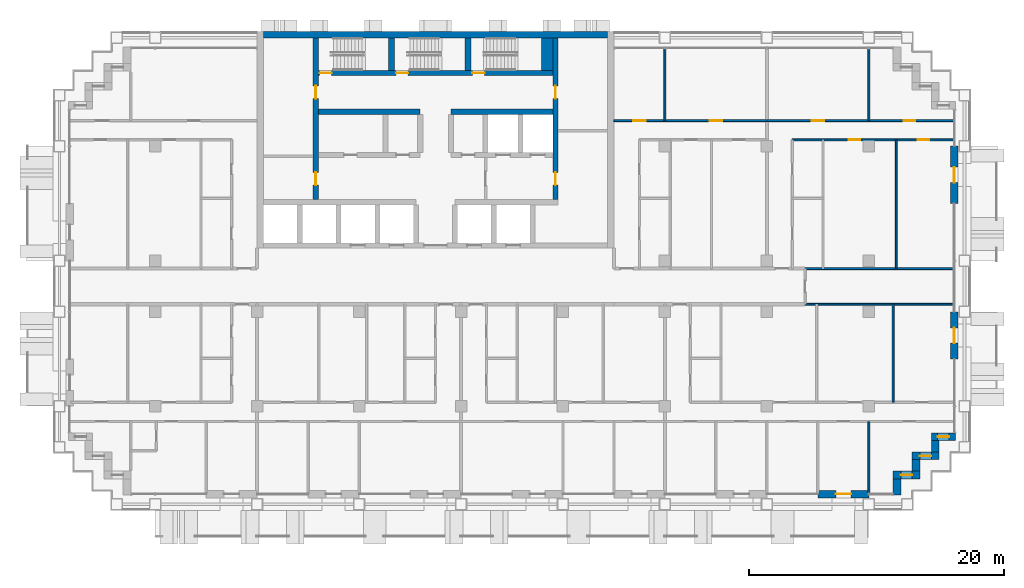
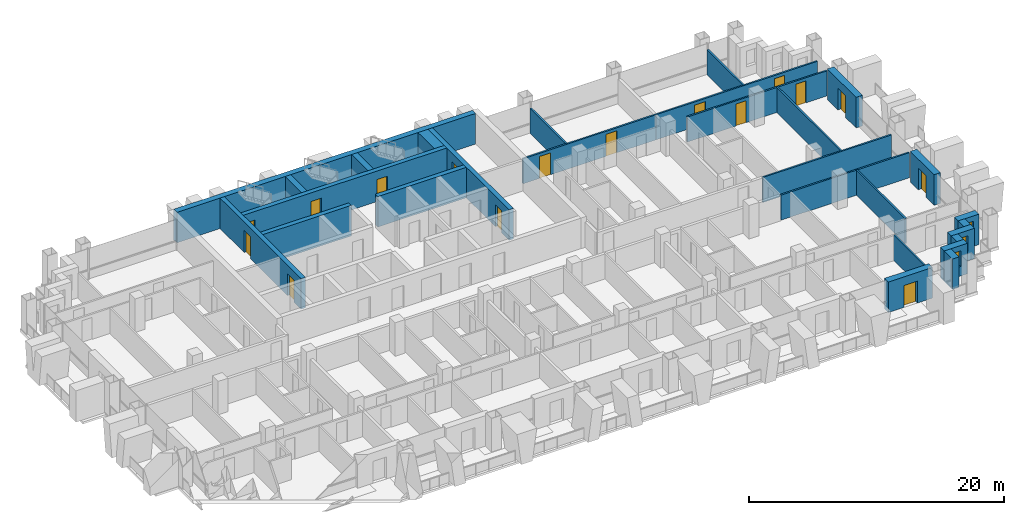
# One storey, part 13 of 18: 28 walls, 16 doors, 3 windows, 19 openings.
"""IFC4 building model written with IfcOpenShell, lengths in metres."""

from ifc_helpers import new_model, si_unit, direction, frame, frame_2d, origin, place, context, subcontext, project, spatial, rectangle, extrude, material, layer, layer_set, type_object, element, fill, save


model = new_model("IFC4")

# Units and contexts
model_context = context("Model", 3, precision=1e-05, world=origin(), true_north=direction((0.0, 1.0)))
body_context = subcontext(model_context, "Body", "Model", "MODEL_VIEW")
ifc_project = project(units=[si_unit("LENGTHUNIT", "METRE"), si_unit("AREAUNIT", "SQUARE_METRE"), si_unit("VOLUMEUNIT", "CUBIC_METRE"), si_unit("PLANEANGLEUNIT", "RADIAN"), si_unit("MASSUNIT", "GRAM", prefix="KILO")], contexts=[model_context])

# Site, building, storey
site_placement = place(None, origin())
site = spatial("IfcSite", under=ifc_project, at=site_placement, CompositionType="ELEMENT")
building_placement = place(site_placement, origin())
building = spatial("IfcBuilding", under=site, at=building_placement, Name="Vidyagriha Tower", CompositionType="ELEMENT")
storey_placement = place(building_placement, frame((0.0, 0.0, 93.5)))
storey = spatial("IfcBuildingStorey", under=building, at=storey_placement, Name="L24", CompositionType="ELEMENT", Elevation=93.5)

# Wall, opening, door
ifc_material_1 = material(Name="Precast concrete C40/50 with brick facing", Category="concrete")
ifc_layer_1 = layer(ifc_material_1, 0.60009765625)
ifc_layer_set_1 = layer_set([ifc_layer_1], Name="Precast concrete C40/50 with brick facing")
wall_type_1 = type_object("IfcWallType", Name="Brick-faced precast wall 600", PredefinedType="STANDARD", material=ifc_layer_set_1)
wall_1_placement = place(storey_placement, frame((30.0, -16.300048828125, 0.0)))
wall_1 = element("IfcWall", 1, at=wall_1_placement, inside=storey, type_object=wall_type_1, Name="Brick door bay wall L24 R23.15", PredefinedType="STANDARD", context=body_context, shape_type="SweptSolid", body=[
    extrude(rectangle(XDim=4.0, YDim=0.60009765625, at=frame_2d((2.0, 0.0))), origin(), (0.0, 0.0, 1.0), 2.919921875),
])
opening_1_placement = place(wall_1_placement, frame((1.39990234375, 0.0, 0.0)))
opening_1 = element("IfcOpeningElement", 2, at=opening_1_placement, cuts=wall_1, Name="Opening D24-81", PredefinedType="OPENING", context=body_context, shape_type="SweptSolid", body=[
    extrude(rectangle(XDim=1.199951171875, YDim=2.10009765625, at=frame_2d((0.60009765625, 1.050048828125))), frame((0.0, 0.31005859375, 0.0), z_axis=(0.0, -1.0, 0.0), x_axis=(1.0, 0.0, 0.0)), (0.0, 0.0, 1.0), 0.6201171875),
])
ifc_material_2 = material(Name="Aluminium framed glazed sliding door", Category="aluminium")
door_type_1 = type_object("IfcDoorType", Name="Balcony sliding door 1200x2100", OperationType="NOTDEFINED", PredefinedType="DOOR", material=ifc_material_2)
door_1_placement = place(opening_1_placement, origin())
door_1 = element("IfcDoor", 3, at=door_1_placement, inside=storey, type_object=door_type_1, Name="Door D24-81", OperationType="SLIDING_TO_LEFT", OverallHeight=2.10009765625, OverallWidth=1.199951171875, PredefinedType="DOOR", context=body_context, shape_type="SweptSolid", body=[
    extrude(rectangle(XDim=1.199951171875, YDim=2.10009765625, at=frame_2d((0.60009765625, 1.050048828125))), frame((0.0, 0.02490234375, 0.0), z_axis=(0.0, -1.0, 0.0), x_axis=(1.0, 0.0, 0.0)), (0.0, 0.0, 1.0), 0.050048828125),
])
fill(opening_1, door_1)

# Wall
wall_2_placement = place(storey_placement, frame((36.199951171875, -16.3798828125, 0.0), z_axis=(0.0, 0.0, 1.0), x_axis=(0.0, 1.0, 0.0)))
element("IfcWall", 4, at=wall_2_placement, inside=storey, type_object=wall_type_1, Name="Stepped corner wall L24 R24", PredefinedType="STANDARD", context=body_context, shape_type="SweptSolid", body=[
    extrude(rectangle(XDim=1.27978515625, YDim=0.60009765625, at=frame_2d((0.639892578125, 0.0))), origin(), (0.0, 0.0, 1.0), 2.919921875),
])

# Wall, opening, window
wall_3_placement = place(storey_placement, frame((35.89990234375, -14.800048828125, 0.0)))
wall_3 = element("IfcWall", 5, at=wall_3_placement, inside=storey, type_object=wall_type_1, Name="Stepped corner wall L24 R25", PredefinedType="STANDARD", context=body_context, shape_type="SweptSolid", body=[
    extrude(rectangle(XDim=2.10009765625, YDim=0.60009765625, at=frame_2d((1.050048828125, 0.0))), origin(), (0.0, 0.0, 1.0), 2.919921875),
])
opening_2_placement = place(wall_3_placement, frame((0.60009765625, 0.0, 0.89990234375)))
opening_2 = element("IfcOpeningElement", 6, at=opening_2_placement, cuts=wall_3, Name="Opening WN1", PredefinedType="OPENING", context=body_context, shape_type="SweptSolid", body=[
    extrude(rectangle(XDim=0.89990234375, YDim=1.5, at=frame_2d((0.449951171875, 0.75))), frame((0.0, 0.31005859375, 0.0), z_axis=(0.0, -1.0, 0.0), x_axis=(1.0, 0.0, 0.0)), (0.0, 0.0, 1.0), 0.6201171875),
])
ifc_material_3 = material(Name="Aluminium and glass window", Category="aluminium")
window_type = type_object("IfcWindowType", Name="Reveal window 900x1500", PartitioningType="NOTDEFINED", PredefinedType="WINDOW", material=ifc_material_3)
window_1_placement = place(opening_2_placement, origin())
window_1 = element("IfcWindow", 7, at=window_1_placement, inside=storey, type_object=window_type, Name="Reveal window L24 R25", OverallHeight=1.5, OverallWidth=0.89990234375, PartitioningType="SINGLE_PANEL", PredefinedType="WINDOW", context=body_context, shape_type="SweptSolid", body=[
    extrude(rectangle(XDim=0.89990234375, YDim=1.5, at=frame_2d((0.449951171875, 0.75))), frame((0.0, 0.030029296875, 0.0), z_axis=(0.0, -1.0, 0.0), x_axis=(1.0, 0.0, 0.0)), (0.0, 0.0, 1.0), 0.06005859375),
])
fill(opening_2, window_1)

# Wall
wall_4_placement = place(storey_placement, frame((37.699951171875, -14.5, 0.0), z_axis=(0.0, 0.0, 1.0), x_axis=(0.0, 1.0, 0.0)))
element("IfcWall", 8, at=wall_4_placement, inside=storey, type_object=wall_type_1, Name="Stepped corner wall L24 R26", PredefinedType="STANDARD", context=body_context, shape_type="SweptSolid", body=[
    extrude(rectangle(XDim=0.89990234375, YDim=0.60009765625, at=frame_2d((0.449951171875, 0.0))), origin(), (0.0, 0.0, 1.0), 2.919921875),
])

# Wall, opening, window
wall_5_placement = place(storey_placement, frame((37.39990234375, -13.300048828125, 0.0)))
wall_5 = element("IfcWall", 9, at=wall_5_placement, inside=storey, type_object=wall_type_1, Name="Stepped corner wall L24 R27", PredefinedType="STANDARD", context=body_context, shape_type="SweptSolid", body=[
    extrude(rectangle(XDim=2.10009765625, YDim=0.60009765625, at=frame_2d((1.050048828125, 0.0))), origin(), (0.0, 0.0, 1.0), 2.919921875),
])
opening_3_placement = place(wall_5_placement, frame((0.60009765625, 0.0, 0.89990234375)))
opening_3 = element("IfcOpeningElement", 10, at=opening_3_placement, cuts=wall_5, Name="Opening WN1", PredefinedType="OPENING", context=body_context, shape_type="SweptSolid", body=[
    extrude(rectangle(XDim=0.89990234375, YDim=1.5, at=frame_2d((0.449951171875, 0.75))), frame((0.0, 0.31005859375, 0.0), z_axis=(0.0, -1.0, 0.0), x_axis=(1.0, 0.0, 0.0)), (0.0, 0.0, 1.0), 0.6201171875),
])
window_2_placement = place(opening_3_placement, origin())
window_2 = element("IfcWindow", 11, at=window_2_placement, inside=storey, type_object=window_type, Name="Reveal window L24 R27", OverallHeight=1.5, OverallWidth=0.89990234375, PartitioningType="SINGLE_PANEL", PredefinedType="WINDOW", context=body_context, shape_type="SweptSolid", body=[
    extrude(rectangle(XDim=0.89990234375, YDim=1.5, at=frame_2d((0.449951171875, 0.75))), frame((0.0, 0.030029296875, 0.0), z_axis=(0.0, -1.0, 0.0), x_axis=(1.0, 0.0, 0.0)), (0.0, 0.0, 1.0), 0.06005859375),
])
fill(opening_3, window_2)

# Wall
wall_6_placement = place(storey_placement, frame((39.199951171875, -13.0, 0.0), z_axis=(0.0, 0.0, 1.0), x_axis=(0.0, 1.0, 0.0)))
element("IfcWall", 12, at=wall_6_placement, inside=storey, type_object=wall_type_1, Name="Stepped corner wall L24 R28", PredefinedType="STANDARD", context=body_context, shape_type="SweptSolid", body=[
    extrude(rectangle(XDim=0.89990234375, YDim=0.60009765625, at=frame_2d((0.449951171875, 0.0))), origin(), (0.0, 0.0, 1.0), 2.919921875),
])

# Wall, opening, window
wall_7_placement = place(storey_placement, frame((38.89990234375, -11.800048828125, 0.0)))
wall_7 = element("IfcWall", 13, at=wall_7_placement, inside=storey, type_object=wall_type_1, Name="Stepped corner wall L24 R29", PredefinedType="STANDARD", context=body_context, shape_type="SweptSolid", body=[
    extrude(rectangle(XDim=1.880126953125, YDim=0.60009765625, at=frame_2d((0.93994140625, 0.0))), origin(), (0.0, 0.0, 1.0), 2.919921875),
])
opening_4_placement = place(wall_7_placement, frame((0.489990234375, 0.0, 0.89990234375)))
opening_4 = element("IfcOpeningElement", 14, at=opening_4_placement, cuts=wall_7, Name="Opening WN1", PredefinedType="OPENING", context=body_context, shape_type="SweptSolid", body=[
    extrude(rectangle(XDim=0.89990234375, YDim=1.5, at=frame_2d((0.449951171875, 0.75))), frame((0.0, 0.31005859375, 0.0), z_axis=(0.0, -1.0, 0.0), x_axis=(1.0, 0.0, 0.0)), (0.0, 0.0, 1.0), 0.6201171875),
])
window_3_placement = place(opening_4_placement, origin())
window_3 = element("IfcWindow", 15, at=window_3_placement, inside=storey, type_object=window_type, Name="Reveal window L24 R29", OverallHeight=1.5, OverallWidth=0.89990234375, PartitioningType="SINGLE_PANEL", PredefinedType="WINDOW", context=body_context, shape_type="SweptSolid", body=[
    extrude(rectangle(XDim=0.89990234375, YDim=1.5, at=frame_2d((0.449951171875, 0.75))), frame((0.0, 0.030029296875, 0.0), z_axis=(0.0, -1.0, 0.0), x_axis=(1.0, 0.0, 0.0)), (0.0, 0.0, 1.0), 0.06005859375),
])
fill(opening_4, window_3)

# Wall, opening, door
wall_8_placement = place(storey_placement, frame((40.699951171875, -5.699951171875, 0.0), z_axis=(0.0, 0.0, 1.0), x_axis=(0.0, 1.0, 0.0)))
wall_8 = element("IfcWall", 16, at=wall_8_placement, inside=storey, type_object=wall_type_1, Name="Brick door bay wall L24 R30.3", PredefinedType="STANDARD", context=body_context, shape_type="SweptSolid", body=[
    extrude(rectangle(XDim=3.699951171875, YDim=0.60009765625, at=frame_2d((1.85009765625, 0.0))), origin(), (0.0, 0.0, 1.0), 2.919921875),
])
opening_5_placement = place(wall_8_placement, frame((1.25, 0.0, 0.0)))
opening_5 = element("IfcOpeningElement", 17, at=opening_5_placement, cuts=wall_8, Name="Opening D24-82", PredefinedType="OPENING", context=body_context, shape_type="SweptSolid", body=[
    extrude(rectangle(XDim=1.199951171875, YDim=2.10009765625, at=frame_2d((0.60009765625, 1.050048828125))), frame((0.0, 0.31005859375, 0.0), z_axis=(0.0, -1.0, 0.0), x_axis=(1.0, 0.0, 0.0)), (0.0, 0.0, 1.0), 0.6201171875),
])
door_2_placement = place(opening_5_placement, origin())
door_2 = element("IfcDoor", 18, at=door_2_placement, inside=storey, type_object=door_type_1, Name="Door D24-82", OperationType="SLIDING_TO_LEFT", OverallHeight=2.10009765625, OverallWidth=1.199951171875, PredefinedType="DOOR", context=body_context, shape_type="SweptSolid", body=[
    extrude(rectangle(XDim=1.199951171875, YDim=2.10009765625, at=frame_2d((0.60009765625, 1.050048828125))), frame((0.0, 0.02490234375, 0.0), z_axis=(0.0, -1.0, 0.0), x_axis=(1.0, 0.0, 0.0)), (0.0, 0.0, 1.0), 0.050048828125),
])
fill(opening_5, door_2)

wall_9_placement = place(storey_placement, frame((40.699951171875, 6.5, 0.0), z_axis=(0.0, 0.0, 1.0), x_axis=(0.0, 1.0, 0.0)))
wall_9 = element("IfcWall", 19, at=wall_9_placement, inside=storey, type_object=wall_type_1, Name="Brick door bay wall L24 R30.6", PredefinedType="STANDARD", context=body_context, shape_type="SweptSolid", body=[
    extrude(rectangle(XDim=4.5, YDim=0.60009765625, at=frame_2d((2.25, 0.0))), origin(), (0.0, 0.0, 1.0), 2.919921875),
])
opening_6_placement = place(wall_9_placement, frame((1.64990234375, 0.0, 0.0)))
opening_6 = element("IfcOpeningElement", 20, at=opening_6_placement, cuts=wall_9, Name="Opening D24-83", PredefinedType="OPENING", context=body_context, shape_type="SweptSolid", body=[
    extrude(rectangle(XDim=1.199951171875, YDim=2.10009765625, at=frame_2d((0.60009765625, 1.050048828125))), frame((0.0, 0.31005859375, 0.0), z_axis=(0.0, -1.0, 0.0), x_axis=(1.0, 0.0, 0.0)), (0.0, 0.0, 1.0), 0.6201171875),
])
door_3_placement = place(opening_6_placement, origin())
door_3 = element("IfcDoor", 21, at=door_3_placement, inside=storey, type_object=door_type_1, Name="Door D24-83", OperationType="SLIDING_TO_LEFT", OverallHeight=2.10009765625, OverallWidth=1.199951171875, PredefinedType="DOOR", context=body_context, shape_type="SweptSolid", body=[
    extrude(rectangle(XDim=1.199951171875, YDim=2.10009765625, at=frame_2d((0.60009765625, 1.050048828125))), frame((0.0, 0.02490234375, 0.0), z_axis=(0.0, -1.0, 0.0), x_axis=(1.0, 0.0, 0.0)), (0.0, 0.0, 1.0), 0.050048828125),
])
fill(opening_6, door_3)

# Wall, openings, doors
ifc_material_4 = material(Name="Concrete C60/75", Category="concrete")
ifc_layer_2 = layer(ifc_material_4, 0.39990234375)
ifc_layer_set_2 = layer_set([ifc_layer_2], Name="Concrete C60/75")
wall_type_2 = type_object("IfcWallType", Name="Core shear wall 400 mm", PredefinedType="SHEAR", material=ifc_layer_set_2)
wall_10_placement = place(storey_placement, frame((-9.39990234375, 6.800048828125, 0.0), z_axis=(0.0, 0.0, 1.0), x_axis=(0.0, 1.0, 0.0)))
wall_10 = element("IfcWall", 22, at=wall_10_placement, inside=storey, type_object=wall_type_2, Name="Core west spine wall", PredefinedType="SHEAR", context=body_context, shape_type="SweptSolid", body=[
    extrude(rectangle(XDim=12.699951171875, YDim=0.39990234375, at=frame_2d((6.35009765625, 0.0))), origin(), (0.0, 0.0, 1.0), 2.919921875),
])
opening_7_placement = place(wall_10_placement, frame((1.14990234375, 0.0, 0.0)))
opening_7 = element("IfcOpeningElement", 23, at=opening_7_placement, cuts=wall_10, Name="Opening D24-09", PredefinedType="OPENING", context=body_context, shape_type="SweptSolid", body=[
    extrude(rectangle(XDim=1.0, YDim=2.10009765625, at=frame_2d((0.5, 1.050048828125))), frame((0.0, 0.2099609375, 0.0), z_axis=(0.0, -1.0, 0.0), x_axis=(1.0, 0.0, 0.0)), (0.0, 0.0, 1.0), 0.419921875),
])
opening_8_placement = place(wall_10_placement, frame((7.925048828125, 0.0, 0.0)))
opening_8 = element("IfcOpeningElement", 24, at=opening_8_placement, cuts=wall_10, Name="Opening D24-10", PredefinedType="OPENING", context=body_context, shape_type="SweptSolid", body=[
    extrude(rectangle(XDim=1.0, YDim=2.10009765625, at=frame_2d((0.5, 1.050048828125))), frame((0.0, 0.2099609375, 0.0), z_axis=(0.0, -1.0, 0.0), x_axis=(1.0, 0.0, 0.0)), (0.0, 0.0, 1.0), 0.419921875),
])
ifc_material_5 = material(Name="Hollow metal door leaf")
door_type_2 = type_object("IfcDoorType", Name="Core room door 1000 x 2100 mm EI 60", OperationType="NOTDEFINED", PredefinedType="DOOR", material=ifc_material_5)
door_4_placement = place(opening_7_placement, frame((1.0, 0.0, 0.0), z_axis=(0.0, 0.0, 1.0), x_axis=(-1.0, 0.0, 0.0)))
door_4 = element("IfcDoor", 25, at=door_4_placement, inside=storey, type_object=door_type_2, Name="Door Storage Room 24.W1", OperationType="SINGLE_SWING_RIGHT", OverallHeight=2.10009765625, OverallWidth=1.0, PredefinedType="DOOR", context=body_context, shape_type="SweptSolid", body=[
    extrude(rectangle(XDim=1.0, YDim=2.10009765625, at=frame_2d((0.5, 1.050048828125))), frame((0.0, 0.02490234375, 0.0), z_axis=(0.0, -1.0, 0.0), x_axis=(1.0, 0.0, 0.0)), (0.0, 0.0, 1.0), 0.050048828125),
])
fill(opening_7, door_4)
door_5_placement = place(opening_8_placement, frame((1.0, 0.0, 0.0), z_axis=(0.0, 0.0, 1.0), x_axis=(-1.0, 0.0, 0.0)))
door_5 = element("IfcDoor", 26, at=door_5_placement, inside=storey, type_object=door_type_2, Name="Door Cleaners Store 24.W2", OperationType="SINGLE_SWING_LEFT", OverallHeight=2.10009765625, OverallWidth=1.0, PredefinedType="DOOR", context=body_context, shape_type="SweptSolid", body=[
    extrude(rectangle(XDim=1.0, YDim=2.10009765625, at=frame_2d((0.5, 1.050048828125))), frame((0.0, 0.02490234375, 0.0), z_axis=(0.0, -1.0, 0.0), x_axis=(1.0, 0.0, 0.0)), (0.0, 0.0, 1.0), 0.050048828125),
])
fill(opening_8, door_5)

wall_11_placement = place(storey_placement, frame((9.39990234375, 6.800048828125, 0.0), z_axis=(0.0, 0.0, 1.0), x_axis=(0.0, 1.0, 0.0)))
wall_11 = element("IfcWall", 27, at=wall_11_placement, inside=storey, type_object=wall_type_2, Name="Core east spine wall", PredefinedType="SHEAR", context=body_context, shape_type="SweptSolid", body=[
    extrude(rectangle(XDim=12.699951171875, YDim=0.39990234375, at=frame_2d((6.35009765625, 0.0))), origin(), (0.0, 0.0, 1.0), 2.919921875),
])
opening_9_placement = place(wall_11_placement, frame((1.14990234375, 0.0, 0.0)))
opening_9 = element("IfcOpeningElement", 28, at=opening_9_placement, cuts=wall_11, Name="Opening D24-11", PredefinedType="OPENING", context=body_context, shape_type="SweptSolid", body=[
    extrude(rectangle(XDim=1.0, YDim=2.10009765625, at=frame_2d((0.5, 1.050048828125))), frame((0.0, 0.2099609375, 0.0), z_axis=(0.0, -1.0, 0.0), x_axis=(1.0, 0.0, 0.0)), (0.0, 0.0, 1.0), 0.419921875),
])
opening_10_placement = place(wall_11_placement, frame((7.925048828125, 0.0, 0.0)))
opening_10 = element("IfcOpeningElement", 29, at=opening_10_placement, cuts=wall_11, Name="Opening D24-12", PredefinedType="OPENING", context=body_context, shape_type="SweptSolid", body=[
    extrude(rectangle(XDim=1.0, YDim=2.10009765625, at=frame_2d((0.5, 1.050048828125))), frame((0.0, 0.2099609375, 0.0), z_axis=(0.0, -1.0, 0.0), x_axis=(1.0, 0.0, 0.0)), (0.0, 0.0, 1.0), 0.419921875),
])
door_6_placement = place(opening_9_placement, origin())
door_6 = element("IfcDoor", 30, at=door_6_placement, inside=storey, type_object=door_type_2, Name="Door Communications Room 24.E1", OperationType="SINGLE_SWING_RIGHT", OverallHeight=2.10009765625, OverallWidth=1.0, PredefinedType="DOOR", context=body_context, shape_type="SweptSolid", body=[
    extrude(rectangle(XDim=1.0, YDim=2.10009765625, at=frame_2d((0.5, 1.050048828125))), frame((0.0, 0.02490234375, 0.0), z_axis=(0.0, -1.0, 0.0), x_axis=(1.0, 0.0, 0.0)), (0.0, 0.0, 1.0), 0.050048828125),
])
fill(opening_9, door_6)
door_7_placement = place(opening_10_placement, origin())
door_7 = element("IfcDoor", 31, at=door_7_placement, inside=storey, type_object=door_type_2, Name="Door Riser Room 24.E2", OperationType="SINGLE_SWING_LEFT", OverallHeight=2.10009765625, OverallWidth=1.0, PredefinedType="DOOR", context=body_context, shape_type="SweptSolid", body=[
    extrude(rectangle(XDim=1.0, YDim=2.10009765625, at=frame_2d((0.5, 1.050048828125))), frame((0.0, 0.02490234375, 0.0), z_axis=(0.0, -1.0, 0.0), x_axis=(1.0, 0.0, 0.0)), (0.0, 0.0, 1.0), 0.050048828125),
])
fill(opening_10, door_7)

# Walls
for number, where, name in (
    (32, (-9.199951171875, 13.699951171875, 0.0), "Core row N rear wall"),
    (33, (1.199951171875, 13.699951171875, 0.0), "Core row N rear wall"),
):
    element("IfcWall", number, at=place(storey_placement, frame(where)), inside=storey, type_object=wall_type_2, Name=name, PredefinedType="SHEAR", context=body_context, shape_type="SweptSolid", body=[
        extrude(rectangle(XDim=8.0, YDim=0.39990234375, at=frame_2d((4.0, 0.0))), origin(), (0.0, 0.0, 1.0), 2.919921875),
    ])

# Wall, openings, doors
wall_12_placement = place(storey_placement, frame((-9.199951171875, 16.75, 0.0)))
wall_12 = element("IfcWall", 34, at=wall_12_placement, inside=storey, type_object=wall_type_2, Name="Stair front wall", PredefinedType="SHEAR", context=body_context, shape_type="SweptSolid", body=[
    extrude(rectangle(XDim=18.39990234375, YDim=0.39990234375, at=frame_2d((9.199951171875, 0.0))), origin(), (0.0, 0.0, 1.0), 2.919921875),
])
opening_11_placement = place(wall_12_placement, frame((0.10009765625, 0.0, 0.0)))
opening_11 = element("IfcOpeningElement", 35, at=opening_11_placement, cuts=wall_12, Name="Opening D24-06", PredefinedType="OPENING", context=body_context, shape_type="SweptSolid", body=[
    extrude(rectangle(XDim=0.949951171875, YDim=2.10009765625, at=frame_2d((0.47509765625, 1.050048828125))), frame((0.0, 0.2099609375, 0.0), z_axis=(0.0, -1.0, 0.0), x_axis=(1.0, 0.0, 0.0)), (0.0, 0.0, 1.0), 0.419921875),
])
opening_12_placement = place(wall_12_placement, frame((6.10009765625, 0.0, 0.0)))
opening_12 = element("IfcOpeningElement", 36, at=opening_12_placement, cuts=wall_12, Name="Opening D24-07", PredefinedType="OPENING", context=body_context, shape_type="SweptSolid", body=[
    extrude(rectangle(XDim=0.949951171875, YDim=2.10009765625, at=frame_2d((0.47509765625, 1.050048828125))), frame((0.0, 0.2099609375, 0.0), z_axis=(0.0, -1.0, 0.0), x_axis=(1.0, 0.0, 0.0)), (0.0, 0.0, 1.0), 0.419921875),
])
opening_13_placement = place(wall_12_placement, frame((12.10009765625, 0.0, 0.0)))
opening_13 = element("IfcOpeningElement", 37, at=opening_13_placement, cuts=wall_12, Name="Opening D24-08", PredefinedType="OPENING", context=body_context, shape_type="SweptSolid", body=[
    extrude(rectangle(XDim=0.949951171875, YDim=2.10009765625, at=frame_2d((0.47509765625, 1.050048828125))), frame((0.0, 0.2099609375, 0.0), z_axis=(0.0, -1.0, 0.0), x_axis=(1.0, 0.0, 0.0)), (0.0, 0.0, 1.0), 0.419921875),
])
ifc_material_6 = material(Name="Hollow metal door leaf")
door_type_3 = type_object("IfcDoorType", Name="Exit stair door 950 x 2100 mm EI 90", OperationType="NOTDEFINED", PredefinedType="DOOR", material=ifc_material_6)
door_8_placement = place(opening_11_placement, origin())
door_8 = element("IfcDoor", 38, at=door_8_placement, inside=storey, type_object=door_type_3, Name="Stair door ST1 L24", OperationType="SINGLE_SWING_LEFT", OverallHeight=2.10009765625, OverallWidth=0.949951171875, PredefinedType="DOOR", context=body_context, shape_type="SweptSolid", body=[
    extrude(rectangle(XDim=0.949951171875, YDim=2.10009765625, at=frame_2d((0.47509765625, 1.050048828125))), frame((0.0, 0.02490234375, 0.0), z_axis=(0.0, -1.0, 0.0), x_axis=(1.0, 0.0, 0.0)), (0.0, 0.0, 1.0), 0.050048828125),
])
fill(opening_11, door_8)
door_9_placement = place(opening_12_placement, origin())
door_9 = element("IfcDoor", 39, at=door_9_placement, inside=storey, type_object=door_type_3, Name="Stair door ST2 L24", OperationType="SINGLE_SWING_LEFT", OverallHeight=2.10009765625, OverallWidth=0.949951171875, PredefinedType="DOOR", context=body_context, shape_type="SweptSolid", body=[
    extrude(rectangle(XDim=0.949951171875, YDim=2.10009765625, at=frame_2d((0.47509765625, 1.050048828125))), frame((0.0, 0.02490234375, 0.0), z_axis=(0.0, -1.0, 0.0), x_axis=(1.0, 0.0, 0.0)), (0.0, 0.0, 1.0), 0.050048828125),
])
fill(opening_12, door_9)
door_10_placement = place(opening_13_placement, origin())
door_10 = element("IfcDoor", 40, at=door_10_placement, inside=storey, type_object=door_type_3, Name="Stair door ST3 L24", OperationType="SINGLE_SWING_LEFT", OverallHeight=2.10009765625, OverallWidth=0.949951171875, PredefinedType="DOOR", context=body_context, shape_type="SweptSolid", body=[
    extrude(rectangle(XDim=0.949951171875, YDim=2.10009765625, at=frame_2d((0.47509765625, 1.050048828125))), frame((0.0, 0.02490234375, 0.0), z_axis=(0.0, -1.0, 0.0), x_axis=(1.0, 0.0, 0.0)), (0.0, 0.0, 1.0), 0.050048828125),
])
fill(opening_13, door_10)

# Walls
ifc_material_7 = material(Name="Concrete C60/75", Category="concrete")
ifc_layer_3 = layer(ifc_material_7, 0.5)
ifc_layer_set_3 = layer_set([ifc_layer_3], Name="Concrete C60/75")
wall_type_3 = type_object("IfcWallType", Name="Core shear wall 500 mm", PredefinedType="SHEAR", material=ifc_layer_set_3)
wall_13_placement = place(storey_placement, frame((-13.5, 19.75, 0.0)))
element("IfcWall", 41, at=wall_13_placement, inside=storey, type_object=wall_type_3, Name="Core north wall", PredefinedType="SHEAR", context=body_context, shape_type="SweptSolid", body=[
    extrude(rectangle(XDim=27.0, YDim=0.5, at=frame_2d((13.5, 0.0))), origin(), (0.0, 0.0, 1.0), 2.919921875),
])
for number, where, z_axis, x_axis, name in (
    (42, (-3.449951171875, 16.949951171875, 0.0), (0.0, 0.0, 1.0), (0.0, 1.0, 0.0), "Stair partition wall 1"),
    (43, (2.550048828125, 16.949951171875, 0.0), (0.0, 0.0, 1.0), (0.0, 1.0, 0.0), "Stair partition wall 2"),
):
    element("IfcWall", number, at=place(storey_placement, frame(where, z_axis=z_axis, x_axis=x_axis)), inside=storey, type_object=wall_type_3, Name=name, PredefinedType="SHEAR", context=body_context, shape_type="SweptSolid", body=[
        extrude(rectangle(XDim=2.550048828125, YDim=0.5, at=frame_2d((1.27490234375, 0.0))), origin(), (0.0, 0.0, 1.0), 2.919921875),
    ])
ifc_material_8 = material(Name="Concrete C60/75", Category="concrete")
ifc_layer_4 = layer(ifc_material_8, 0.89990234375)
ifc_layer_set_4 = layer_set([ifc_layer_4], Name="Concrete C60/75")
wall_type_4 = type_object("IfcWallType", Name="Core shear wall 900 mm", PredefinedType="SHEAR", material=ifc_layer_set_4)
wall_14_placement = place(storey_placement, frame((8.75, 16.949951171875, 0.0), z_axis=(0.0, 0.0, 1.0), x_axis=(0.0, 1.0, 0.0)))
element("IfcWall", 44, at=wall_14_placement, inside=storey, type_object=wall_type_4, Name="Stair end wall", PredefinedType="SHEAR", context=body_context, shape_type="SweptSolid", body=[
    extrude(rectangle(XDim=2.550048828125, YDim=0.89990234375, at=frame_2d((1.27490234375, 0.0))), origin(), (0.0, 0.0, 1.0), 2.919921875),
])
ifc_material_9 = material(Name="Gypsum board partition")
ifc_layer_5 = layer(ifc_material_9, 0.14990234375)
ifc_layer_set_5 = layer_set([ifc_layer_5], Name="Gypsum board partition")
wall_type_5 = type_object("IfcWallType", Name="Gypsum board partition 150", PredefinedType="PARTITIONING", material=ifc_layer_set_5)
wall_15_placement = place(storey_placement, frame((35.89990234375, -1.39990234375, 0.0), z_axis=(0.0, 0.0, 1.0), x_axis=(0.0, -1.0, 0.0)))
element("IfcWall", 45, at=wall_15_placement, inside=storey, type_object=wall_type_5, Name="Wall all-L24-w064", PredefinedType="PARTITIONING", context=body_context, shape_type="SweptSolid", body=[
    extrude(rectangle(XDim=7.7001953125, YDim=0.14990234375, at=frame_2d((3.85009765625, 0.0))), origin(), (0.0, 0.0, 1.0), 2.39990234375),
])
wall_16_placement = place(storey_placement, frame((34.0, -10.60009765625, 0.0), z_axis=(0.0, 0.0, 1.0), x_axis=(0.0, -1.0, 0.0)))
element("IfcWall", 46, at=wall_16_placement, inside=storey, type_object=wall_type_5, Name="Wall all-L24-w078", PredefinedType="PARTITIONING", context=body_context, shape_type="SweptSolid", body=[
    extrude(rectangle(XDim=5.60986328125, YDim=0.14990234375, at=frame_2d((2.804931640625, 0.0))), origin(), (0.0, 0.0, 1.0), 2.39990234375),
])
wall_17_placement = place(storey_placement, frame((40.6201171875, -1.39990234375, 0.0), z_axis=(0.0, 0.0, 1.0), x_axis=(-1.0, 0.0, 0.0)))
element("IfcWall", 47, at=wall_17_placement, inside=storey, type_object=wall_type_5, Name="Wall all-L24-w083", PredefinedType="PARTITIONING", context=body_context, shape_type="SweptSolid", body=[
    extrude(rectangle(XDim=11.6201171875, YDim=0.14990234375, at=frame_2d((5.81005859375, 0.0))), origin(), (0.0, 0.0, 1.0), 2.39990234375),
])

# Wall, openings, doors
wall_18_placement = place(storey_placement, frame((14.0, 13.0, 0.0)))
wall_18 = element("IfcWall", 48, at=wall_18_placement, inside=storey, type_object=wall_type_5, Name="Wall all-L24-w108", PredefinedType="PARTITIONING", context=body_context, shape_type="SweptSolid", body=[
    extrude(rectangle(XDim=12.0, YDim=0.14990234375, at=frame_2d((6.0, 0.0))), origin(), (0.0, 0.0, 1.0), 2.39990234375),
])
opening_14_placement = place(wall_18_placement, frame((1.5, 0.0, 0.0)))
opening_14 = element("IfcOpeningElement", 49, at=opening_14_placement, cuts=wall_18, Name="Opening D24-62", PredefinedType="OPENING", context=body_context, shape_type="SweptSolid", body=[
    extrude(rectangle(XDim=1.0, YDim=2.10009765625, at=frame_2d((0.5, 1.050048828125))), frame((0.0, 0.0849609375, 0.0), z_axis=(0.0, -1.0, 0.0), x_axis=(1.0, 0.0, 0.0)), (0.0, 0.0, 1.0), 0.169921875),
])
opening_15_placement = place(wall_18_placement, frame((7.5, 0.0, 0.0)))
opening_15 = element("IfcOpeningElement", 50, at=opening_15_placement, cuts=wall_18, Name="Opening D24-63", PredefinedType="OPENING", context=body_context, shape_type="SweptSolid", body=[
    extrude(rectangle(XDim=1.0, YDim=2.10009765625, at=frame_2d((0.5, 1.050048828125))), frame((0.0, 0.0849609375, 0.0), z_axis=(0.0, -1.0, 0.0), x_axis=(1.0, 0.0, 0.0)), (0.0, 0.0, 1.0), 0.169921875),
])
ifc_material_10 = material(Name="Timber door leaf", Category="wood")
door_type_4 = type_object("IfcDoorType", Name="Room door 1000x2100", OperationType="NOTDEFINED", PredefinedType="DOOR", material=ifc_material_10)
door_11_placement = place(opening_14_placement, origin())
door_11 = element("IfcDoor", 51, at=door_11_placement, inside=storey, type_object=door_type_4, Name="Door D24-62", OperationType="SINGLE_SWING_RIGHT", OverallHeight=2.10009765625, OverallWidth=1.0, PredefinedType="DOOR", context=body_context, shape_type="SweptSolid", body=[
    extrude(rectangle(XDim=1.0, YDim=2.10009765625, at=frame_2d((0.5, 1.050048828125))), frame((0.0, 0.02490234375, 0.0), z_axis=(0.0, -1.0, 0.0), x_axis=(1.0, 0.0, 0.0)), (0.0, 0.0, 1.0), 0.050048828125),
])
fill(opening_14, door_11)
door_12_placement = place(opening_15_placement, origin())
door_12 = element("IfcDoor", 52, at=door_12_placement, inside=storey, type_object=door_type_4, Name="Door D24-63", OperationType="SINGLE_SWING_RIGHT", OverallHeight=2.10009765625, OverallWidth=1.0, PredefinedType="DOOR", context=body_context, shape_type="SweptSolid", body=[
    extrude(rectangle(XDim=1.0, YDim=2.10009765625, at=frame_2d((0.5, 1.050048828125))), frame((0.0, 0.02490234375, 0.0), z_axis=(0.0, -1.0, 0.0), x_axis=(1.0, 0.0, 0.0)), (0.0, 0.0, 1.0), 0.050048828125),
])
fill(opening_15, door_12)

# Walls
wall_19_placement = place(storey_placement, frame((18.0, 18.62109375, 0.0), z_axis=(0.0, 0.0, 1.0), x_axis=(0.0, -1.0, 0.0)))
element("IfcWall", 53, at=wall_19_placement, inside=storey, type_object=wall_type_5, Name="Wall all-L24-w111", PredefinedType="PARTITIONING", context=body_context, shape_type="SweptSolid", body=[
    extrude(rectangle(XDim=5.62109375, YDim=0.14990234375, at=frame_2d((2.810546875, 0.0))), origin(), (0.0, 0.0, 1.0), 2.39990234375),
])
wall_20_placement = place(storey_placement, frame((36.14990234375, 11.5, 0.0), z_axis=(0.0, 0.0, 1.0), x_axis=(0.0, -1.0, 0.0)))
element("IfcWall", 54, at=wall_20_placement, inside=storey, type_object=wall_type_5, Name="Wall all-L24-w118", PredefinedType="PARTITIONING", context=body_context, shape_type="SweptSolid", body=[
    extrude(rectangle(XDim=10.10009765625, YDim=0.14990234375, at=frame_2d((5.050048828125, 0.0))), origin(), (0.0, 0.0, 1.0), 2.39990234375),
])

# Wall, openings, doors
wall_21_placement = place(storey_placement, frame((40.6201171875, 11.5, 0.0), z_axis=(0.0, 0.0, 1.0), x_axis=(-1.0, 0.0, 0.0)))
wall_21 = element("IfcWall", 55, at=wall_21_placement, inside=storey, type_object=wall_type_5, Name="Wall all-L24-w119", PredefinedType="PARTITIONING", context=body_context, shape_type="SweptSolid", body=[
    extrude(rectangle(XDim=12.6201171875, YDim=0.14990234375, at=frame_2d((6.31005859375, 0.0))), origin(), (0.0, 0.0, 1.0), 2.39990234375),
])
opening_16_placement = place(wall_21_placement, frame((7.30908203125, 0.0, 0.0)))
opening_16 = element("IfcOpeningElement", 56, at=opening_16_placement, cuts=wall_21, Name="Opening D24-67", PredefinedType="OPENING", context=body_context, shape_type="SweptSolid", body=[
    extrude(rectangle(XDim=0.89990234375, YDim=2.10009765625, at=frame_2d((0.449951171875, 1.050048828125))), frame((0.0, 0.0849609375, 0.0), z_axis=(0.0, -1.0, 0.0), x_axis=(1.0, 0.0, 0.0)), (0.0, 0.0, 1.0), 0.169921875),
])
opening_17_placement = place(wall_21_placement, frame((1.89501953125, 0.0, 0.0)))
opening_17 = element("IfcOpeningElement", 57, at=opening_17_placement, cuts=wall_21, Name="Opening D24-68", PredefinedType="OPENING", context=body_context, shape_type="SweptSolid", body=[
    extrude(rectangle(XDim=0.89990234375, YDim=2.10009765625, at=frame_2d((0.449951171875, 1.050048828125))), frame((0.0, 0.0849609375, 0.0), z_axis=(0.0, -1.0, 0.0), x_axis=(1.0, 0.0, 0.0)), (0.0, 0.0, 1.0), 0.169921875),
])
ifc_material_11 = material(Name="Timber door leaf", Category="wood")
door_type_5 = type_object("IfcDoorType", Name="Room door 900x2100", OperationType="NOTDEFINED", PredefinedType="DOOR", material=ifc_material_11)
door_13_placement = place(opening_16_placement, origin())
door_13 = element("IfcDoor", 58, at=door_13_placement, inside=storey, type_object=door_type_5, Name="Door D24-67", OperationType="SINGLE_SWING_RIGHT", OverallHeight=2.10009765625, OverallWidth=0.89990234375, PredefinedType="DOOR", context=body_context, shape_type="SweptSolid", body=[
    extrude(rectangle(XDim=0.89990234375, YDim=2.10009765625, at=frame_2d((0.449951171875, 1.050048828125))), frame((0.0, 0.02490234375, 0.0), z_axis=(0.0, -1.0, 0.0), x_axis=(1.0, 0.0, 0.0)), (0.0, 0.0, 1.0), 0.050048828125),
])
fill(opening_16, door_13)
door_14_placement = place(opening_17_placement, origin())
door_14 = element("IfcDoor", 59, at=door_14_placement, inside=storey, type_object=door_type_5, Name="Door D24-68", OperationType="SINGLE_SWING_RIGHT", OverallHeight=2.10009765625, OverallWidth=0.89990234375, PredefinedType="DOOR", context=body_context, shape_type="SweptSolid", body=[
    extrude(rectangle(XDim=0.89990234375, YDim=2.10009765625, at=frame_2d((0.449951171875, 1.050048828125))), frame((0.0, 0.02490234375, 0.0), z_axis=(0.0, -1.0, 0.0), x_axis=(1.0, 0.0, 0.0)), (0.0, 0.0, 1.0), 0.050048828125),
])
fill(opening_17, door_14)

wall_22_placement = place(storey_placement, frame((26.0, 13.0, 0.0)))
wall_22 = element("IfcWall", 60, at=wall_22_placement, inside=storey, type_object=wall_type_5, Name="Wall all-L24-w122", PredefinedType="PARTITIONING", context=body_context, shape_type="SweptSolid", body=[
    extrude(rectangle(XDim=14.6201171875, YDim=0.14990234375, at=frame_2d((7.31005859375, 0.0))), origin(), (0.0, 0.0, 1.0), 2.39990234375),
])
opening_18_placement = place(wall_22_placement, frame((3.5, 0.0, 0.0)))
opening_18 = element("IfcOpeningElement", 61, at=opening_18_placement, cuts=wall_22, Name="Opening D24-69", PredefinedType="OPENING", context=body_context, shape_type="SweptSolid", body=[
    extrude(rectangle(XDim=1.0, YDim=2.10009765625, at=frame_2d((0.5, 1.050048828125))), frame((0.0, 0.0849609375, 0.0), z_axis=(0.0, -1.0, 0.0), x_axis=(1.0, 0.0, 0.0)), (0.0, 0.0, 1.0), 0.169921875),
])
opening_19_placement = place(wall_22_placement, frame((10.75, 0.0, 0.0)))
opening_19 = element("IfcOpeningElement", 62, at=opening_19_placement, cuts=wall_22, Name="Opening D24-70", PredefinedType="OPENING", context=body_context, shape_type="SweptSolid", body=[
    extrude(rectangle(XDim=0.89990234375, YDim=2.10009765625, at=frame_2d((0.449951171875, 1.050048828125))), frame((0.0, 0.0849609375, 0.0), z_axis=(0.0, -1.0, 0.0), x_axis=(1.0, 0.0, 0.0)), (0.0, 0.0, 1.0), 0.169921875),
])
door_15_placement = place(opening_18_placement, origin())
door_15 = element("IfcDoor", 63, at=door_15_placement, inside=storey, type_object=door_type_4, Name="Door D24-69", OperationType="SINGLE_SWING_RIGHT", OverallHeight=2.10009765625, OverallWidth=1.0, PredefinedType="DOOR", context=body_context, shape_type="SweptSolid", body=[
    extrude(rectangle(XDim=1.0, YDim=2.10009765625, at=frame_2d((0.5, 1.050048828125))), frame((0.0, 0.02490234375, 0.0), z_axis=(0.0, -1.0, 0.0), x_axis=(1.0, 0.0, 0.0)), (0.0, 0.0, 1.0), 0.050048828125),
])
fill(opening_18, door_15)
door_16_placement = place(opening_19_placement, origin())
door_16 = element("IfcDoor", 64, at=door_16_placement, inside=storey, type_object=door_type_5, Name="Door D24-70", OperationType="SINGLE_SWING_RIGHT", OverallHeight=2.10009765625, OverallWidth=0.89990234375, PredefinedType="DOOR", context=body_context, shape_type="SweptSolid", body=[
    extrude(rectangle(XDim=0.89990234375, YDim=2.10009765625, at=frame_2d((0.449951171875, 1.050048828125))), frame((0.0, 0.02490234375, 0.0), z_axis=(0.0, -1.0, 0.0), x_axis=(1.0, 0.0, 0.0)), (0.0, 0.0, 1.0), 0.050048828125),
])
fill(opening_19, door_16)

# Walls
wall_23_placement = place(storey_placement, frame((34.0, 18.62109375, 0.0), z_axis=(0.0, 0.0, 1.0), x_axis=(0.0, -1.0, 0.0)))
element("IfcWall", 65, at=wall_23_placement, inside=storey, type_object=wall_type_5, Name="Wall all-L24-w125", PredefinedType="PARTITIONING", context=body_context, shape_type="SweptSolid", body=[
    extrude(rectangle(XDim=5.62109375, YDim=0.14990234375, at=frame_2d((2.810546875, 0.0))), origin(), (0.0, 0.0, 1.0), 2.39990234375),
])
wall_24_placement = place(storey_placement, frame((29.0, 1.39990234375, 0.0)))
element("IfcWall", 66, at=wall_24_placement, inside=storey, type_object=wall_type_5, Name="Wall all-L24-w129", PredefinedType="PARTITIONING", context=body_context, shape_type="SweptSolid", body=[
    extrude(rectangle(XDim=11.6201171875, YDim=0.14990234375, at=frame_2d((5.81005859375, 0.0))), origin(), (0.0, 0.0, 1.0), 2.39990234375),
])

save(model, "model.ifc")
